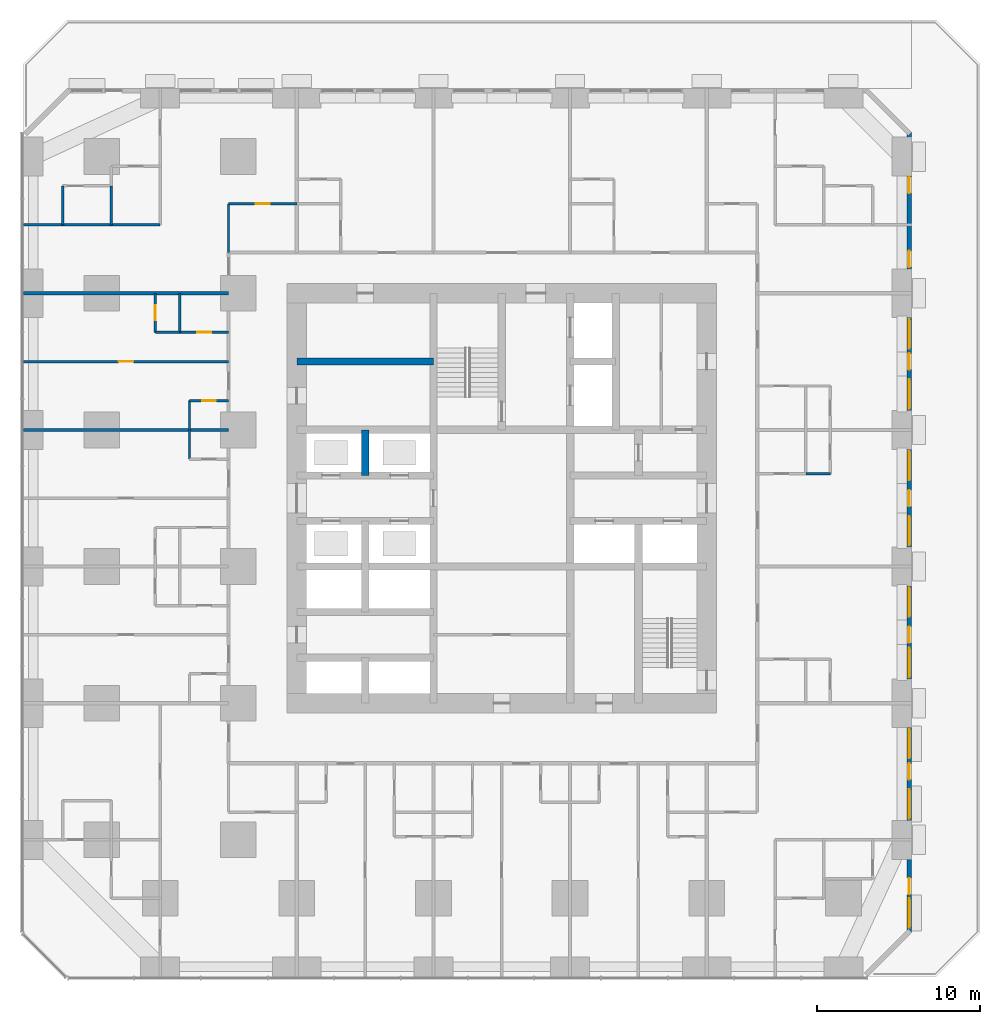
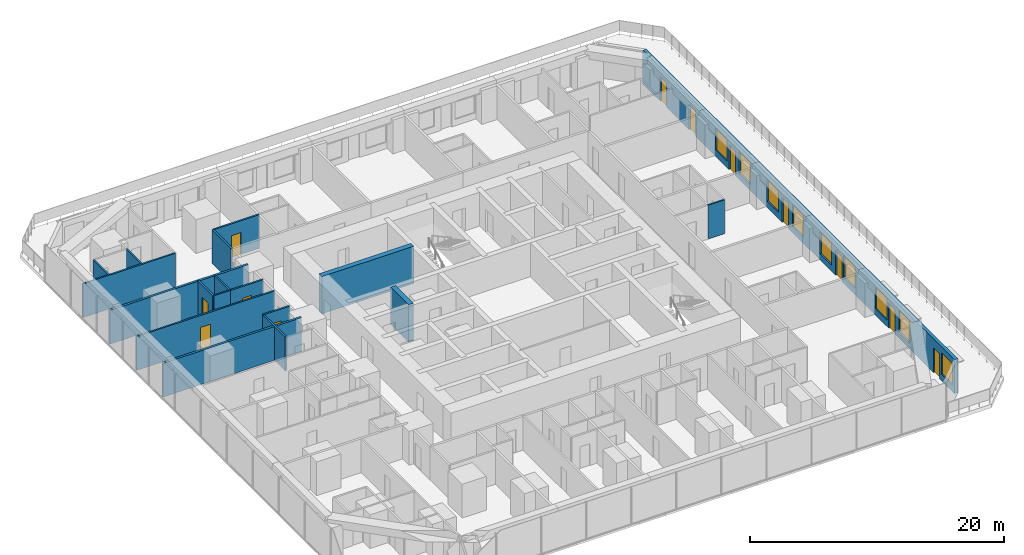
# One storey, part 11 of 16: 18 walls, 12 doors, 9 windows, 21 openings.
"""IFC4 building model written with IfcOpenShell, lengths in metres."""

from ifc_helpers import new_model, si_unit, direction, frame, frame_2d, origin, place, context, subcontext, project, spatial, rectangle, extrude, material, layer, layer_set, type_object, element, fill, save


model = new_model("IFC4")

# Units and contexts
model_context = context("Model", 3, precision=1e-05, world=origin(), true_north=direction((0.0, 1.0)))
body_context = subcontext(model_context, "Body", "Model", "MODEL_VIEW")
ifc_project = project(units=[si_unit("LENGTHUNIT", "METRE"), si_unit("AREAUNIT", "SQUARE_METRE"), si_unit("VOLUMEUNIT", "CUBIC_METRE"), si_unit("PLANEANGLEUNIT", "RADIAN"), si_unit("MASSUNIT", "GRAM", prefix="KILO")], contexts=[model_context])

# Site, building, storey
site_placement = place(None, origin())
site = spatial("IfcSite", under=ifc_project, at=site_placement, CompositionType="ELEMENT")
building_placement = place(site_placement, origin())
building = spatial("IfcBuilding", under=site, at=building_placement, Name="Dunama Terrace Hotel", CompositionType="ELEMENT")
storey_placement = place(building_placement, frame((0.0, 0.0, 93.60009765625)))
storey = spatial("IfcBuildingStorey", under=building, at=storey_placement, Name="L23", CompositionType="ELEMENT", Elevation=93.60009765625)

# Walls
ifc_material_1 = material(Name="Gypsum board partition", Category="masonry")
ifc_layer_1 = layer(ifc_material_1, 0.14990234375)
ifc_layer_set_1 = layer_set([ifc_layer_1], Name="Bathroom partition 150")
wall_type_1 = type_object("IfcWallType", Name="Bathroom partition 150", PredefinedType="PARTITIONING", material=ifc_layer_set_1)
wall_1_placement = place(storey_placement, frame((10.199951171875, 31.800048828125, 0.0), z_axis=(0.0, 0.0, 1.0), x_axis=(0.0, 1.0, 0.0)))
element("IfcWall", 1, at=wall_1_placement, inside=storey, type_object=wall_type_1, Name="Bathroom partition 150 L23", PredefinedType="PARTITIONING", context=body_context, shape_type="SweptSolid", body=[
    extrude(rectangle(XDim=3.599853515625, YDim=0.14990234375, at=frame_2d((1.7998046875, 0.0))), origin(), (0.0, 0.0, 1.0), 3.25),
])
wall_2_placement = place(storey_placement, frame((12.60009765625, 44.5, 0.0), z_axis=(0.0, 0.0, 1.0), x_axis=(0.0, 1.0, 0.0)))
element("IfcWall", 2, at=wall_2_placement, inside=storey, type_object=wall_type_1, Name="Bathroom partition 150 L23", PredefinedType="PARTITIONING", context=body_context, shape_type="SweptSolid", body=[
    extrude(rectangle(XDim=3.0, YDim=0.14990234375, at=frame_2d((1.5, 0.0))), origin(), (0.0, 0.0, 1.0), 3.25),
])

# Wall, opening, door
wall_3_placement = place(storey_placement, frame((10.199951171875, 35.39990234375, 0.0), z_axis=(0.0, 0.0, 1.0), x_axis=(1.0, 0.0, 0.0)))
wall_3 = element("IfcWall", 3, at=wall_3_placement, inside=storey, type_object=wall_type_1, Name="Bathroom partition 150 L23", PredefinedType="PARTITIONING", context=body_context, shape_type="SweptSolid", body=[
    extrude(rectangle(XDim=2.400146484375, YDim=0.14990234375, at=frame_2d((1.2001953125, 0.0))), origin(), (0.0, 0.0, 1.0), 3.25),
])
opening_1_placement = place(wall_3_placement, frame((0.77490234375, 0.0, 0.0)))
opening_1 = element("IfcOpeningElement", 4, at=opening_1_placement, cuts=wall_3, Name="Opening L23-067", PredefinedType="OPENING", context=body_context, shape_type="SweptSolid", body=[
    extrude(rectangle(XDim=0.85009765625, YDim=2.10009765625, at=frame_2d((0.425048828125, 1.050048828125))), frame((0.0, 0.0849609375, 0.0), z_axis=(0.0, -1.0, 0.0), x_axis=(1.0, 0.0, 0.0)), (0.0, 0.0, 1.0), 0.169921875),
])
ifc_material_2 = material(Name="Timber door with steel frame", Category="steel")
door_type_1 = type_object("IfcDoorType", Name="Bathroom door 850", OperationType="SINGLE_SWING_LEFT", PredefinedType="DOOR", material=ifc_material_2)
door_1_placement = place(opening_1_placement, frame((0.85009765625, 0.0, 0.0), z_axis=(0.0, 0.0, 1.0), x_axis=(-1.0, 0.0, 0.0)))
door_1 = element("IfcDoor", 5, at=door_1_placement, inside=storey, type_object=door_type_1, Name="Door to powder room L23-067, type D2", OperationType="SINGLE_SWING_LEFT", OverallHeight=2.10009765625, OverallWidth=0.85009765625, PredefinedType="DOOR", context=body_context, shape_type="SweptSolid", body=[
    extrude(rectangle(XDim=0.85009765625, YDim=2.10009765625, at=frame_2d((0.425048828125, 1.050048828125))), frame((0.0, 0.025146484375, 0.0), z_axis=(0.0, -1.0, 0.0), x_axis=(1.0, 0.0, 0.0)), (0.0, 0.0, 1.0), 0.050048828125),
])
fill(opening_1, door_1)

wall_4_placement = place(storey_placement, frame((9.60009765625, 39.60009765625, 0.0), z_axis=(0.0, 0.0, 1.0), x_axis=(1.0, 0.0, 0.0)))
wall_4 = element("IfcWall", 6, at=wall_4_placement, inside=storey, type_object=wall_type_1, Name="Bathroom partition 150 L23", PredefinedType="PARTITIONING", context=body_context, shape_type="SweptSolid", body=[
    extrude(rectangle(XDim=3.0, YDim=0.14990234375, at=frame_2d((1.5, 0.0))), origin(), (0.0, 0.0, 1.0), 3.25),
])
opening_2_placement = place(wall_4_placement, frame((1.074951171875, 0.0, 0.0)))
opening_2 = element("IfcOpeningElement", 7, at=opening_2_placement, cuts=wall_4, Name="Opening L23-069", PredefinedType="OPENING", context=body_context, shape_type="SweptSolid", body=[
    extrude(rectangle(XDim=0.85009765625, YDim=2.10009765625, at=frame_2d((0.425048828125, 1.050048828125))), frame((0.0, 0.0849609375, 0.0), z_axis=(0.0, -1.0, 0.0), x_axis=(1.0, 0.0, 0.0)), (0.0, 0.0, 1.0), 0.169921875),
])
door_2_placement = place(opening_2_placement, origin())
door_2 = element("IfcDoor", 8, at=door_2_placement, inside=storey, type_object=door_type_1, Name="Door to en-suite bathroom L23-069, type D2", OperationType="SINGLE_SWING_RIGHT", OverallHeight=2.10009765625, OverallWidth=0.85009765625, PredefinedType="DOOR", context=body_context, shape_type="SweptSolid", body=[
    extrude(rectangle(XDim=0.85009765625, YDim=2.10009765625, at=frame_2d((0.425048828125, 1.050048828125))), frame((0.0, 0.02490234375, 0.0), z_axis=(0.0, -1.0, 0.0), x_axis=(1.0, 0.0, 0.0)), (0.0, 0.0, 1.0), 0.050048828125),
])
fill(opening_2, door_2)

wall_5_placement = place(storey_placement, frame((12.60009765625, 47.5, 0.0), z_axis=(0.0, 0.0, 1.0), x_axis=(1.0, 0.0, 0.0)))
wall_5 = element("IfcWall", 9, at=wall_5_placement, inside=storey, type_object=wall_type_1, Name="Bathroom partition 150 L23", PredefinedType="PARTITIONING", context=body_context, shape_type="SweptSolid", body=[
    extrude(rectangle(XDim=4.199951171875, YDim=0.14990234375, at=frame_2d((2.10009765625, 0.0))), origin(), (0.0, 0.0, 1.0), 3.25),
])
opening_3_placement = place(wall_5_placement, frame((1.675048828125, 0.0, 0.0)))
opening_3 = element("IfcOpeningElement", 10, at=opening_3_placement, cuts=wall_5, Name="Opening L23-088", PredefinedType="OPENING", context=body_context, shape_type="SweptSolid", body=[
    extrude(rectangle(XDim=0.85009765625, YDim=2.10009765625, at=frame_2d((0.425048828125, 1.050048828125))), frame((0.0, 0.0849609375, 0.0), z_axis=(0.0, -1.0, 0.0), x_axis=(1.0, 0.0, 0.0)), (0.0, 0.0, 1.0), 0.169921875),
])
door_3_placement = place(opening_3_placement, frame((0.85009765625, 0.0, 0.0), z_axis=(0.0, 0.0, 1.0), x_axis=(-1.0, 0.0, 0.0)))
door_3 = element("IfcDoor", 11, at=door_3_placement, inside=storey, type_object=door_type_1, Name="Door to powder room L23-088, type D2", OperationType="SINGLE_SWING_LEFT", OverallHeight=2.10009765625, OverallWidth=0.85009765625, PredefinedType="DOOR", context=body_context, shape_type="SweptSolid", body=[
    extrude(rectangle(XDim=0.85009765625, YDim=2.10009765625, at=frame_2d((0.425048828125, 1.050048828125))), frame((0.0, 0.025146484375, 0.0), z_axis=(0.0, -1.0, 0.0), x_axis=(1.0, 0.0, 0.0)), (0.0, 0.0, 1.0), 0.050048828125),
])
fill(opening_3, door_3)

# Walls
ifc_material_3 = material(Name="Concrete C50/60", Category="concrete")
ifc_layer_2 = layer(ifc_material_3, 0.449951171875)
ifc_layer_set_2 = layer_set([ifc_layer_2], Name="Core inner wall 450")
wall_type_2 = type_object("IfcWallType", Name="Core inner wall 450", PredefinedType="SHEAR", material=ifc_layer_set_2)
wall_6_placement = place(storey_placement, frame((21.0, 30.800048828125, -0.35009765625), z_axis=(0.0, 0.0, 1.0), x_axis=(0.0, 1.0, 0.0)))
element("IfcWall", 12, at=wall_6_placement, inside=storey, type_object=wall_type_2, Name="Core inner wall 450 L23", PredefinedType="SHEAR", context=body_context, shape_type="SweptSolid", body=[
    extrude(rectangle(XDim=2.800048828125, YDim=0.449951171875, at=frame_2d((1.39990234375, 0.0))), origin(), (0.0, 0.0, 1.0), 3.60009765625),
])
wall_7_placement = place(storey_placement, frame((16.800048828125, 37.800048828125, -0.35009765625), z_axis=(0.0, 0.0, 1.0), x_axis=(1.0, 0.0, 0.0)))
element("IfcWall", 13, at=wall_7_placement, inside=storey, type_object=wall_type_2, Name="Core inner wall 450 L23", PredefinedType="SHEAR", context=body_context, shape_type="SweptSolid", body=[
    extrude(rectangle(XDim=8.39990234375, YDim=0.449951171875, at=frame_2d((4.199951171875, 0.0))), origin(), (0.0, 0.0, 1.0), 3.60009765625),
])
ifc_material_4 = material(Name="Concrete blockwork", Category="masonry")
ifc_layer_3 = layer(ifc_material_4, 0.199951171875)
ifc_layer_set_3 = layer_set([ifc_layer_3], Name="Party wall 200")
wall_type_3 = type_object("IfcWallType", Name="Party wall 200", PredefinedType="PARTITIONING", material=ifc_layer_set_3)
for number, where, z_axis, x_axis, name in (
    (14, (-0.01806640625, 33.60009765625, 0.0), (0.0, 0.0, 1.0), (1.0, 0.0, 0.0), "Party wall 200 L23"),
    (15, (-0.01806640625, 42.0, 0.0), (0.0, 0.0, 1.0), (1.0, 0.0, 0.0), "Party wall 200 L23"),
):
    element("IfcWall", number, at=place(storey_placement, frame(where, z_axis=z_axis, x_axis=x_axis)), inside=storey, type_object=wall_type_3, Name=name, PredefinedType="PARTITIONING", context=body_context, shape_type="SweptSolid", body=[
        extrude(rectangle(XDim=12.6181640625, YDim=0.199951171875, at=frame_2d((6.30908203125, 0.0))), origin(), (0.0, 0.0, 1.0), 3.25),
    ])
ifc_material_5 = material(Name="Gypsum board partition", Category="masonry")
ifc_layer_4 = layer(ifc_material_5, 0.14990234375)
ifc_layer_set_4 = layer_set([ifc_layer_4], Name="Room partition 150")
wall_type_4 = type_object("IfcWallType", Name="Room partition 150", PredefinedType="PARTITIONING", material=ifc_layer_set_4)
for number, where, z_axis, x_axis, name in (
    (16, (2.39990234375, 46.199951171875, 0.0), (0.0, 0.0, 1.0), (0.0, 1.0, 0.0), "Room partition 150 L23"),
    (17, (5.39990234375, 46.199951171875, 0.0), (0.0, 0.0, 1.0), (0.0, 1.0, 0.0), "Room partition 150 L23"),
):
    element("IfcWall", number, at=place(storey_placement, frame(where, z_axis=z_axis, x_axis=x_axis)), inside=storey, type_object=wall_type_4, Name=name, PredefinedType="PARTITIONING", context=body_context, shape_type="SweptSolid", body=[
        extrude(rectangle(XDim=2.400146484375, YDim=0.14990234375, at=frame_2d((1.2001953125, 0.0))), origin(), (0.0, 0.0, 1.0), 3.25),
    ])

# Wall, opening, door
wall_8_placement = place(storey_placement, frame((8.10009765625, 39.60009765625, 0.0), z_axis=(0.0, 0.0, 1.0), x_axis=(0.0, 1.0, 0.0)))
wall_8 = element("IfcWall", 18, at=wall_8_placement, inside=storey, type_object=wall_type_4, Name="Room partition 150 L23", PredefinedType="PARTITIONING", context=body_context, shape_type="SweptSolid", body=[
    extrude(rectangle(XDim=2.39990234375, YDim=0.14990234375, at=frame_2d((1.199951171875, 0.0))), origin(), (0.0, 0.0, 1.0), 3.25),
])
opening_4_placement = place(wall_8_placement, frame((0.75, 0.0, 0.0)))
opening_4 = element("IfcOpeningElement", 19, at=opening_4_placement, cuts=wall_8, Name="Opening L23-070", PredefinedType="OPENING", context=body_context, shape_type="SweptSolid", body=[
    extrude(rectangle(XDim=0.89990234375, YDim=2.10009765625, at=frame_2d((0.449951171875, 1.050048828125))), frame((0.0, 0.0849609375, 0.0), z_axis=(0.0, -1.0, 0.0), x_axis=(1.0, 0.0, 0.0)), (0.0, 0.0, 1.0), 0.169921875),
])
ifc_material_6 = material(Name="Timber door with steel frame", Category="steel")
door_type_2 = type_object("IfcDoorType", Name="Suite internal door 900", OperationType="SINGLE_SWING_LEFT", PredefinedType="DOOR", material=ifc_material_6)
door_4_placement = place(opening_4_placement, frame((0.89990234375, 0.0, 0.0), z_axis=(0.0, 0.0, 1.0), x_axis=(-1.0, 0.0, 0.0)))
door_4 = element("IfcDoor", 20, at=door_4_placement, inside=storey, type_object=door_type_2, Name="Door to walk-in wardrobe L23-070, type D16", OperationType="SINGLE_SWING_RIGHT", OverallHeight=2.10009765625, OverallWidth=0.89990234375, PredefinedType="DOOR", context=body_context, shape_type="SweptSolid", body=[
    extrude(rectangle(XDim=0.89990234375, YDim=2.10009765625, at=frame_2d((0.449951171875, 1.050048828125))), frame((0.0, 0.025146484375, 0.0), z_axis=(0.0, -1.0, 0.0), x_axis=(1.0, 0.0, 0.0)), (0.0, 0.0, 1.0), 0.050048828125),
])
fill(opening_4, door_4)

# Walls
wall_9_placement = place(storey_placement, frame((9.60009765625, 39.60009765625, 0.0), z_axis=(0.0, 0.0, 1.0), x_axis=(0.0, 1.0, 0.0)))
element("IfcWall", 21, at=wall_9_placement, inside=storey, type_object=wall_type_4, Name="Room partition 150 L23", PredefinedType="PARTITIONING", context=body_context, shape_type="SweptSolid", body=[
    extrude(rectangle(XDim=2.39990234375, YDim=0.14990234375, at=frame_2d((1.199951171875, 0.0))), origin(), (0.0, 0.0, 1.0), 3.25),
])
wall_10_placement = place(storey_placement, frame((48.10009765625, 30.89990234375, 0.0), z_axis=(0.0, 0.0, 1.0), x_axis=(1.0, 0.0, 0.0)))
element("IfcWall", 22, at=wall_10_placement, inside=storey, type_object=wall_type_4, Name="Room partition 150 L23", PredefinedType="PARTITIONING", context=body_context, shape_type="SweptSolid", body=[
    extrude(rectangle(XDim=1.5, YDim=0.14990234375, at=frame_2d((0.75, 0.0))), origin(), (0.0, 0.0, 1.0), 3.25),
])

# Wall, opening, door
wall_11_placement = place(storey_placement, frame((-0.01806640625, 37.800048828125, 0.0), z_axis=(0.0, 0.0, 1.0), x_axis=(1.0, 0.0, 0.0)))
wall_11 = element("IfcWall", 23, at=wall_11_placement, inside=storey, type_object=wall_type_4, Name="Room partition 150 L23", PredefinedType="PARTITIONING", context=body_context, shape_type="SweptSolid", body=[
    extrude(rectangle(XDim=12.6181640625, YDim=0.14990234375, at=frame_2d((6.30908203125, 0.0))), origin(), (0.0, 0.0, 1.0), 3.25),
])
opening_5_placement = place(wall_11_placement, frame((5.867919921875, 0.0, 0.0)))
opening_5 = element("IfcOpeningElement", 24, at=opening_5_placement, cuts=wall_11, Name="Opening L23-068", PredefinedType="OPENING", context=body_context, shape_type="SweptSolid", body=[
    extrude(rectangle(XDim=0.89990234375, YDim=2.10009765625, at=frame_2d((0.449951171875, 1.050048828125))), frame((0.0, 0.0849609375, 0.0), z_axis=(0.0, -1.0, 0.0), x_axis=(1.0, 0.0, 0.0)), (0.0, 0.0, 1.0), 0.169921875),
])
door_5_placement = place(opening_5_placement, origin())
door_5 = element("IfcDoor", 25, at=door_5_placement, inside=storey, type_object=door_type_2, Name="Door to premier suite bedroom L23-068, type D16", OperationType="SINGLE_SWING_RIGHT", OverallHeight=2.10009765625, OverallWidth=0.89990234375, PredefinedType="DOOR", context=body_context, shape_type="SweptSolid", body=[
    extrude(rectangle(XDim=0.89990234375, YDim=2.10009765625, at=frame_2d((0.449951171875, 1.050048828125))), frame((0.0, 0.02490234375, 0.0), z_axis=(0.0, -1.0, 0.0), x_axis=(1.0, 0.0, 0.0)), (0.0, 0.0, 1.0), 0.050048828125),
])
fill(opening_5, door_5)

# Walls
wall_12_placement = place(storey_placement, frame((8.10009765625, 39.60009765625, 0.0), z_axis=(0.0, 0.0, 1.0), x_axis=(1.0, 0.0, 0.0)))
element("IfcWall", 26, at=wall_12_placement, inside=storey, type_object=wall_type_4, Name="Room partition 150 L23", PredefinedType="PARTITIONING", context=body_context, shape_type="SweptSolid", body=[
    extrude(rectangle(XDim=1.5, YDim=0.14990234375, at=frame_2d((0.75, 0.0))), origin(), (0.0, 0.0, 1.0), 3.25),
])
wall_13_placement = place(storey_placement, frame((-0.01806640625, 46.199951171875, 0.0), z_axis=(0.0, 0.0, 1.0), x_axis=(1.0, 0.0, 0.0)))
element("IfcWall", 27, at=wall_13_placement, inside=storey, type_object=wall_type_4, Name="Room partition 150 L23", PredefinedType="PARTITIONING", context=body_context, shape_type="SweptSolid", body=[
    extrude(rectangle(XDim=8.41796875, YDim=0.14990234375, at=frame_2d((4.208984375, 0.0))), origin(), (0.0, 0.0, 1.0), 3.25),
])

# Wall, openings, doors, windows
ifc_material_7 = material(Name="Granite-faced concrete blockwork", Category="masonry")
ifc_layer_5 = layer(ifc_material_7, 0.300048828125)
ifc_layer_set_5 = layer_set([ifc_layer_5], Name="Terrace wall 300")
wall_type_5 = type_object("IfcWallType", Name="Terrace wall 300", PredefinedType="SOLIDWALL", material=ifc_layer_set_5)
wall_14_placement = place(storey_placement, frame((54.449951171875, 2.699951171875, 0.0), z_axis=(0.0, 0.0, 1.0), x_axis=(0.0, 1.0, 0.0)))
wall_14 = element("IfcWall", 28, at=wall_14_placement, inside=storey, type_object=wall_type_5, Name="Terrace wall 300 L23", PredefinedType="SOLIDWALL", context=body_context, shape_type="SweptSolid", body=[
    extrude(rectangle(XDim=49.199951171875, YDim=0.300048828125, at=frame_2d((24.60009765625, 0.0))), origin(), (0.0, 0.0, 1.0), 3.25),
])
opening_6_placement = place(wall_14_placement, frame((2.35009765625, 0.0, 0.0)))
opening_6 = element("IfcOpeningElement", 29, at=opening_6_placement, cuts=wall_14, Name="Opening L23-001", PredefinedType="OPENING", context=body_context, shape_type="SweptSolid", body=[
    extrude(rectangle(XDim=1.0, YDim=2.39990234375, at=frame_2d((0.5, 1.199951171875))), frame((0.0, 0.159912109375, 0.0), z_axis=(0.0, -1.0, 0.0), x_axis=(1.0, 0.0, 0.0)), (0.0, 0.0, 1.0), 0.320068359375),
])
opening_7_placement = place(wall_14_placement, frame((0.300048828125, 0.0, 0.60009765625)))
opening_7 = element("IfcOpeningElement", 30, at=opening_7_placement, cuts=wall_14, Name="Opening W2", PredefinedType="OPENING", context=body_context, shape_type="SweptSolid", body=[
    extrude(rectangle(XDim=1.800048828125, YDim=2.10009765625, at=frame_2d((0.89990234375, 1.050048828125))), frame((0.0, 0.159912109375, 0.0), z_axis=(0.0, -1.0, 0.0), x_axis=(1.0, 0.0, 0.0)), (0.0, 0.0, 1.0), 0.320068359375),
])
opening_8_placement = place(wall_14_placement, frame((9.39990234375, 0.0, 0.0)))
opening_8 = element("IfcOpeningElement", 31, at=opening_8_placement, cuts=wall_14, Name="Opening L23-002", PredefinedType="OPENING", context=body_context, shape_type="SweptSolid", body=[
    extrude(rectangle(XDim=1.0, YDim=2.39990234375, at=frame_2d((0.5, 1.199951171875))), frame((0.0, 0.159912109375, 0.0), z_axis=(0.0, -1.0, 0.0), x_axis=(1.0, 0.0, 0.0)), (0.0, 0.0, 1.0), 0.320068359375),
])
opening_9_placement = place(wall_14_placement, frame((7.0, 0.0, 0.60009765625)))
opening_9 = element("IfcOpeningElement", 32, at=opening_9_placement, cuts=wall_14, Name="Opening W2", PredefinedType="OPENING", context=body_context, shape_type="SweptSolid", body=[
    extrude(rectangle(XDim=1.800048828125, YDim=2.10009765625, at=frame_2d((0.89990234375, 1.050048828125))), frame((0.0, 0.159912109375, 0.0), z_axis=(0.0, -1.0, 0.0), x_axis=(1.0, 0.0, 0.0)), (0.0, 0.0, 1.0), 0.320068359375),
])
opening_10_placement = place(wall_14_placement, frame((10.699951171875, 0.0, 0.60009765625)))
opening_10 = element("IfcOpeningElement", 33, at=opening_10_placement, cuts=wall_14, Name="Opening W2", PredefinedType="OPENING", context=body_context, shape_type="SweptSolid", body=[
    extrude(rectangle(XDim=1.800048828125, YDim=2.10009765625, at=frame_2d((0.89990234375, 1.050048828125))), frame((0.0, 0.159912109375, 0.0), z_axis=(0.0, -1.0, 0.0), x_axis=(1.0, 0.0, 0.0)), (0.0, 0.0, 1.0), 0.320068359375),
])
opening_11_placement = place(wall_14_placement, frame((17.800048828125, 0.0, 0.0)))
opening_11 = element("IfcOpeningElement", 34, at=opening_11_placement, cuts=wall_14, Name="Opening L23-003", PredefinedType="OPENING", context=body_context, shape_type="SweptSolid", body=[
    extrude(rectangle(XDim=1.0, YDim=2.39990234375, at=frame_2d((0.5, 1.199951171875))), frame((0.0, 0.159912109375, 0.0), z_axis=(0.0, -1.0, 0.0), x_axis=(1.0, 0.0, 0.0)), (0.0, 0.0, 1.0), 0.320068359375),
])
opening_12_placement = place(wall_14_placement, frame((15.699951171875, 0.0, 0.60009765625)))
opening_12 = element("IfcOpeningElement", 35, at=opening_12_placement, cuts=wall_14, Name="Opening W2", PredefinedType="OPENING", context=body_context, shape_type="SweptSolid", body=[
    extrude(rectangle(XDim=1.800048828125, YDim=2.10009765625, at=frame_2d((0.89990234375, 1.050048828125))), frame((0.0, 0.159912109375, 0.0), z_axis=(0.0, -1.0, 0.0), x_axis=(1.0, 0.0, 0.0)), (0.0, 0.0, 1.0), 0.320068359375),
])
opening_13_placement = place(wall_14_placement, frame((19.39990234375, 0.0, 0.60009765625)))
opening_13 = element("IfcOpeningElement", 36, at=opening_13_placement, cuts=wall_14, Name="Opening W2", PredefinedType="OPENING", context=body_context, shape_type="SweptSolid", body=[
    extrude(rectangle(XDim=1.800048828125, YDim=2.10009765625, at=frame_2d((0.89990234375, 1.050048828125))), frame((0.0, 0.159912109375, 0.0), z_axis=(0.0, -1.0, 0.0), x_axis=(1.0, 0.0, 0.0)), (0.0, 0.0, 1.0), 0.320068359375),
])
opening_14_placement = place(wall_14_placement, frame((26.199951171875, 0.0, 0.0)))
opening_14 = element("IfcOpeningElement", 37, at=opening_14_placement, cuts=wall_14, Name="Opening L23-004", PredefinedType="OPENING", context=body_context, shape_type="SweptSolid", body=[
    extrude(rectangle(XDim=1.0, YDim=2.39990234375, at=frame_2d((0.5, 1.199951171875))), frame((0.0, 0.159912109375, 0.0), z_axis=(0.0, -1.0, 0.0), x_axis=(1.0, 0.0, 0.0)), (0.0, 0.0, 1.0), 0.320068359375),
])
opening_15_placement = place(wall_14_placement, frame((23.800048828125, 0.0, 0.60009765625)))
opening_15 = element("IfcOpeningElement", 38, at=opening_15_placement, cuts=wall_14, Name="Opening W2", PredefinedType="OPENING", context=body_context, shape_type="SweptSolid", body=[
    extrude(rectangle(XDim=1.800048828125, YDim=2.10009765625, at=frame_2d((0.89990234375, 1.050048828125))), frame((0.0, 0.159912109375, 0.0), z_axis=(0.0, -1.0, 0.0), x_axis=(1.0, 0.0, 0.0)), (0.0, 0.0, 1.0), 0.320068359375),
])
opening_16_placement = place(wall_14_placement, frame((27.800048828125, 0.0, 0.60009765625)))
opening_16 = element("IfcOpeningElement", 39, at=opening_16_placement, cuts=wall_14, Name="Opening W2", PredefinedType="OPENING", context=body_context, shape_type="SweptSolid", body=[
    extrude(rectangle(XDim=1.800048828125, YDim=2.10009765625, at=frame_2d((0.89990234375, 1.050048828125))), frame((0.0, 0.159912109375, 0.0), z_axis=(0.0, -1.0, 0.0), x_axis=(1.0, 0.0, 0.0)), (0.0, 0.0, 1.0), 0.320068359375),
])
opening_17_placement = place(wall_14_placement, frame((34.60009765625, 0.0, 0.0)))
opening_17 = element("IfcOpeningElement", 40, at=opening_17_placement, cuts=wall_14, Name="Opening L23-005", PredefinedType="OPENING", context=body_context, shape_type="SweptSolid", body=[
    extrude(rectangle(XDim=1.0, YDim=2.39990234375, at=frame_2d((0.5, 1.199951171875))), frame((0.0, 0.159912109375, 0.0), z_axis=(0.0, -1.0, 0.0), x_axis=(1.0, 0.0, 0.0)), (0.0, 0.0, 1.0), 0.320068359375),
])
opening_18_placement = place(wall_14_placement, frame((32.199951171875, 0.0, 0.60009765625)))
opening_18 = element("IfcOpeningElement", 41, at=opening_18_placement, cuts=wall_14, Name="Opening W2", PredefinedType="OPENING", context=body_context, shape_type="SweptSolid", body=[
    extrude(rectangle(XDim=1.800048828125, YDim=2.10009765625, at=frame_2d((0.89990234375, 1.050048828125))), frame((0.0, 0.159912109375, 0.0), z_axis=(0.0, -1.0, 0.0), x_axis=(1.0, 0.0, 0.0)), (0.0, 0.0, 1.0), 0.320068359375),
])
opening_19_placement = place(wall_14_placement, frame((35.89990234375, 0.0, 0.60009765625)))
opening_19 = element("IfcOpeningElement", 42, at=opening_19_placement, cuts=wall_14, Name="Opening W2", PredefinedType="OPENING", context=body_context, shape_type="SweptSolid", body=[
    extrude(rectangle(XDim=1.800048828125, YDim=2.10009765625, at=frame_2d((0.89990234375, 1.050048828125))), frame((0.0, 0.159912109375, 0.0), z_axis=(0.0, -1.0, 0.0), x_axis=(1.0, 0.0, 0.0)), (0.0, 0.0, 1.0), 0.320068359375),
])
opening_20_placement = place(wall_14_placement, frame((40.89990234375, 0.0, 0.0)))
opening_20 = element("IfcOpeningElement", 43, at=opening_20_placement, cuts=wall_14, Name="Opening L23-006", PredefinedType="OPENING", context=body_context, shape_type="SweptSolid", body=[
    extrude(rectangle(XDim=1.0, YDim=2.39990234375, at=frame_2d((0.5, 1.199951171875))), frame((0.0, 0.159912109375, 0.0), z_axis=(0.0, -1.0, 0.0), x_axis=(1.0, 0.0, 0.0)), (0.0, 0.0, 1.0), 0.320068359375),
])
opening_21_placement = place(wall_14_placement, frame((45.449951171875, 0.0, 0.0)))
opening_21 = element("IfcOpeningElement", 44, at=opening_21_placement, cuts=wall_14, Name="Opening L23-007", PredefinedType="OPENING", context=body_context, shape_type="SweptSolid", body=[
    extrude(rectangle(XDim=1.0, YDim=2.39990234375, at=frame_2d((0.5, 1.199951171875))), frame((0.0, 0.159912109375, 0.0), z_axis=(0.0, -1.0, 0.0), x_axis=(1.0, 0.0, 0.0)), (0.0, 0.0, 1.0), 0.320068359375),
])
ifc_material_8 = material(Name="Aluminium-framed glazed door", Category="aluminium")
door_type_3 = type_object("IfcDoorType", Name="Terrace door 1000", OperationType="SINGLE_SWING_LEFT", PredefinedType="DOOR", material=ifc_material_8)
door_6_placement = place(opening_6_placement, origin())
door_6 = element("IfcDoor", 45, at=door_6_placement, inside=storey, type_object=door_type_3, Name="Terrace door Corner suite bedroom L23-001, type D12", OperationType="SINGLE_SWING_RIGHT", OverallHeight=2.39990234375, OverallWidth=1.0, PredefinedType="DOOR", context=body_context, shape_type="SweptSolid", body=[
    extrude(rectangle(XDim=1.0, YDim=2.39990234375, at=frame_2d((0.5, 1.199951171875))), frame((0.0, 0.02490234375, 0.0), z_axis=(0.0, -1.0, 0.0), x_axis=(1.0, 0.0, 0.0)), (0.0, 0.0, 1.0), 0.050048828125),
])
fill(opening_6, door_6)
door_7_placement = place(opening_8_placement, origin())
door_7 = element("IfcDoor", 46, at=door_7_placement, inside=storey, type_object=door_type_3, Name="Terrace door Corner suite living room L23-002, type D12", OperationType="SINGLE_SWING_RIGHT", OverallHeight=2.39990234375, OverallWidth=1.0, PredefinedType="DOOR", context=body_context, shape_type="SweptSolid", body=[
    extrude(rectangle(XDim=1.0, YDim=2.39990234375, at=frame_2d((0.5, 1.199951171875))), frame((0.0, 0.02490234375, 0.0), z_axis=(0.0, -1.0, 0.0), x_axis=(1.0, 0.0, 0.0)), (0.0, 0.0, 1.0), 0.050048828125),
])
fill(opening_8, door_7)
door_8_placement = place(opening_11_placement, origin())
door_8 = element("IfcDoor", 47, at=door_8_placement, inside=storey, type_object=door_type_3, Name="Terrace door Terrace junior suite L23-003, type D12", OperationType="SINGLE_SWING_LEFT", OverallHeight=2.39990234375, OverallWidth=1.0, PredefinedType="DOOR", context=body_context, shape_type="SweptSolid", body=[
    extrude(rectangle(XDim=1.0, YDim=2.39990234375, at=frame_2d((0.5, 1.199951171875))), frame((0.0, 0.02490234375, 0.0), z_axis=(0.0, -1.0, 0.0), x_axis=(1.0, 0.0, 0.0)), (0.0, 0.0, 1.0), 0.050048828125),
])
fill(opening_11, door_8)
door_9_placement = place(opening_14_placement, origin())
door_9 = element("IfcDoor", 48, at=door_9_placement, inside=storey, type_object=door_type_3, Name="Terrace door Terrace junior suite L23-004, type D12", OperationType="SINGLE_SWING_LEFT", OverallHeight=2.39990234375, OverallWidth=1.0, PredefinedType="DOOR", context=body_context, shape_type="SweptSolid", body=[
    extrude(rectangle(XDim=1.0, YDim=2.39990234375, at=frame_2d((0.5, 1.199951171875))), frame((0.0, 0.02490234375, 0.0), z_axis=(0.0, -1.0, 0.0), x_axis=(1.0, 0.0, 0.0)), (0.0, 0.0, 1.0), 0.050048828125),
])
fill(opening_14, door_9)
door_10_placement = place(opening_17_placement, origin())
door_10 = element("IfcDoor", 49, at=door_10_placement, inside=storey, type_object=door_type_3, Name="Terrace door Terrace junior suite L23-005, type D12", OperationType="SINGLE_SWING_RIGHT", OverallHeight=2.39990234375, OverallWidth=1.0, PredefinedType="DOOR", context=body_context, shape_type="SweptSolid", body=[
    extrude(rectangle(XDim=1.0, YDim=2.39990234375, at=frame_2d((0.5, 1.199951171875))), frame((0.0, 0.02490234375, 0.0), z_axis=(0.0, -1.0, 0.0), x_axis=(1.0, 0.0, 0.0)), (0.0, 0.0, 1.0), 0.050048828125),
])
fill(opening_17, door_10)
door_11_placement = place(opening_20_placement, origin())
door_11 = element("IfcDoor", 50, at=door_11_placement, inside=storey, type_object=door_type_3, Name="Terrace door Corner suite living room L23-006, type D12", OperationType="SINGLE_SWING_LEFT", OverallHeight=2.39990234375, OverallWidth=1.0, PredefinedType="DOOR", context=body_context, shape_type="SweptSolid", body=[
    extrude(rectangle(XDim=1.0, YDim=2.39990234375, at=frame_2d((0.5, 1.199951171875))), frame((0.0, 0.02490234375, 0.0), z_axis=(0.0, -1.0, 0.0), x_axis=(1.0, 0.0, 0.0)), (0.0, 0.0, 1.0), 0.050048828125),
])
fill(opening_20, door_11)
door_12_placement = place(opening_21_placement, origin())
door_12 = element("IfcDoor", 51, at=door_12_placement, inside=storey, type_object=door_type_3, Name="Terrace door Corner suite bedroom L23-007, type D12", OperationType="SINGLE_SWING_RIGHT", OverallHeight=2.39990234375, OverallWidth=1.0, PredefinedType="DOOR", context=body_context, shape_type="SweptSolid", body=[
    extrude(rectangle(XDim=1.0, YDim=2.39990234375, at=frame_2d((0.5, 1.199951171875))), frame((0.0, 0.02490234375, 0.0), z_axis=(0.0, -1.0, 0.0), x_axis=(1.0, 0.0, 0.0)), (0.0, 0.0, 1.0), 0.050048828125),
])
fill(opening_21, door_12)
ifc_material_9 = material(Name="Aluminium-framed double glazed window", Category="aluminium")
window_type = type_object("IfcWindowType", Name="Terrace window 1800", PartitioningType="SINGLE_PANEL", PredefinedType="WINDOW", material=ifc_material_9)
window_1_placement = place(opening_7_placement, origin())
window_1 = element("IfcWindow", 52, at=window_1_placement, inside=storey, type_object=window_type, Name="Terrace window 1800 L23", OverallHeight=2.10009765625, OverallWidth=1.800048828125, PartitioningType="SINGLE_PANEL", PredefinedType="WINDOW", context=body_context, shape_type="SweptSolid", body=[
    extrude(rectangle(XDim=1.800048828125, YDim=2.10009765625, at=frame_2d((0.89990234375, 1.050048828125))), frame((0.0, 0.030029296875, 0.0), z_axis=(0.0, -1.0, 0.0), x_axis=(1.0, 0.0, 0.0)), (0.0, 0.0, 1.0), 0.06005859375),
])
fill(opening_7, window_1)
window_2_placement = place(opening_9_placement, origin())
window_2 = element("IfcWindow", 53, at=window_2_placement, inside=storey, type_object=window_type, Name="Terrace window 1800 L23", OverallHeight=2.10009765625, OverallWidth=1.800048828125, PartitioningType="SINGLE_PANEL", PredefinedType="WINDOW", context=body_context, shape_type="SweptSolid", body=[
    extrude(rectangle(XDim=1.800048828125, YDim=2.10009765625, at=frame_2d((0.89990234375, 1.050048828125))), frame((0.0, 0.030029296875, 0.0), z_axis=(0.0, -1.0, 0.0), x_axis=(1.0, 0.0, 0.0)), (0.0, 0.0, 1.0), 0.06005859375),
])
fill(opening_9, window_2)
window_3_placement = place(opening_10_placement, origin())
window_3 = element("IfcWindow", 54, at=window_3_placement, inside=storey, type_object=window_type, Name="Terrace window 1800 L23", OverallHeight=2.10009765625, OverallWidth=1.800048828125, PartitioningType="SINGLE_PANEL", PredefinedType="WINDOW", context=body_context, shape_type="SweptSolid", body=[
    extrude(rectangle(XDim=1.800048828125, YDim=2.10009765625, at=frame_2d((0.89990234375, 1.050048828125))), frame((0.0, 0.030029296875, 0.0), z_axis=(0.0, -1.0, 0.0), x_axis=(1.0, 0.0, 0.0)), (0.0, 0.0, 1.0), 0.06005859375),
])
fill(opening_10, window_3)
window_4_placement = place(opening_12_placement, origin())
window_4 = element("IfcWindow", 55, at=window_4_placement, inside=storey, type_object=window_type, Name="Terrace window 1800 L23", OverallHeight=2.10009765625, OverallWidth=1.800048828125, PartitioningType="SINGLE_PANEL", PredefinedType="WINDOW", context=body_context, shape_type="SweptSolid", body=[
    extrude(rectangle(XDim=1.800048828125, YDim=2.10009765625, at=frame_2d((0.89990234375, 1.050048828125))), frame((0.0, 0.030029296875, 0.0), z_axis=(0.0, -1.0, 0.0), x_axis=(1.0, 0.0, 0.0)), (0.0, 0.0, 1.0), 0.06005859375),
])
fill(opening_12, window_4)
window_5_placement = place(opening_13_placement, origin())
window_5 = element("IfcWindow", 56, at=window_5_placement, inside=storey, type_object=window_type, Name="Terrace window 1800 L23", OverallHeight=2.10009765625, OverallWidth=1.800048828125, PartitioningType="SINGLE_PANEL", PredefinedType="WINDOW", context=body_context, shape_type="SweptSolid", body=[
    extrude(rectangle(XDim=1.800048828125, YDim=2.10009765625, at=frame_2d((0.89990234375, 1.050048828125))), frame((0.0, 0.030029296875, 0.0), z_axis=(0.0, -1.0, 0.0), x_axis=(1.0, 0.0, 0.0)), (0.0, 0.0, 1.0), 0.06005859375),
])
fill(opening_13, window_5)
window_6_placement = place(opening_15_placement, origin())
window_6 = element("IfcWindow", 57, at=window_6_placement, inside=storey, type_object=window_type, Name="Terrace window 1800 L23", OverallHeight=2.10009765625, OverallWidth=1.800048828125, PartitioningType="SINGLE_PANEL", PredefinedType="WINDOW", context=body_context, shape_type="SweptSolid", body=[
    extrude(rectangle(XDim=1.800048828125, YDim=2.10009765625, at=frame_2d((0.89990234375, 1.050048828125))), frame((0.0, 0.030029296875, 0.0), z_axis=(0.0, -1.0, 0.0), x_axis=(1.0, 0.0, 0.0)), (0.0, 0.0, 1.0), 0.06005859375),
])
fill(opening_15, window_6)
window_7_placement = place(opening_16_placement, origin())
window_7 = element("IfcWindow", 58, at=window_7_placement, inside=storey, type_object=window_type, Name="Terrace window 1800 L23", OverallHeight=2.10009765625, OverallWidth=1.800048828125, PartitioningType="SINGLE_PANEL", PredefinedType="WINDOW", context=body_context, shape_type="SweptSolid", body=[
    extrude(rectangle(XDim=1.800048828125, YDim=2.10009765625, at=frame_2d((0.89990234375, 1.050048828125))), frame((0.0, 0.030029296875, 0.0), z_axis=(0.0, -1.0, 0.0), x_axis=(1.0, 0.0, 0.0)), (0.0, 0.0, 1.0), 0.06005859375),
])
fill(opening_16, window_7)
window_8_placement = place(opening_18_placement, origin())
window_8 = element("IfcWindow", 59, at=window_8_placement, inside=storey, type_object=window_type, Name="Terrace window 1800 L23", OverallHeight=2.10009765625, OverallWidth=1.800048828125, PartitioningType="SINGLE_PANEL", PredefinedType="WINDOW", context=body_context, shape_type="SweptSolid", body=[
    extrude(rectangle(XDim=1.800048828125, YDim=2.10009765625, at=frame_2d((0.89990234375, 1.050048828125))), frame((0.0, 0.030029296875, 0.0), z_axis=(0.0, -1.0, 0.0), x_axis=(1.0, 0.0, 0.0)), (0.0, 0.0, 1.0), 0.06005859375),
])
fill(opening_18, window_8)
window_9_placement = place(opening_19_placement, origin())
window_9 = element("IfcWindow", 60, at=window_9_placement, inside=storey, type_object=window_type, Name="Terrace window 1800 L23", OverallHeight=2.10009765625, OverallWidth=1.800048828125, PartitioningType="SINGLE_PANEL", PredefinedType="WINDOW", context=body_context, shape_type="SweptSolid", body=[
    extrude(rectangle(XDim=1.800048828125, YDim=2.10009765625, at=frame_2d((0.89990234375, 1.050048828125))), frame((0.0, 0.030029296875, 0.0), z_axis=(0.0, -1.0, 0.0), x_axis=(1.0, 0.0, 0.0)), (0.0, 0.0, 1.0), 0.06005859375),
])
fill(opening_19, window_9)

save(model, "model.ifc")
